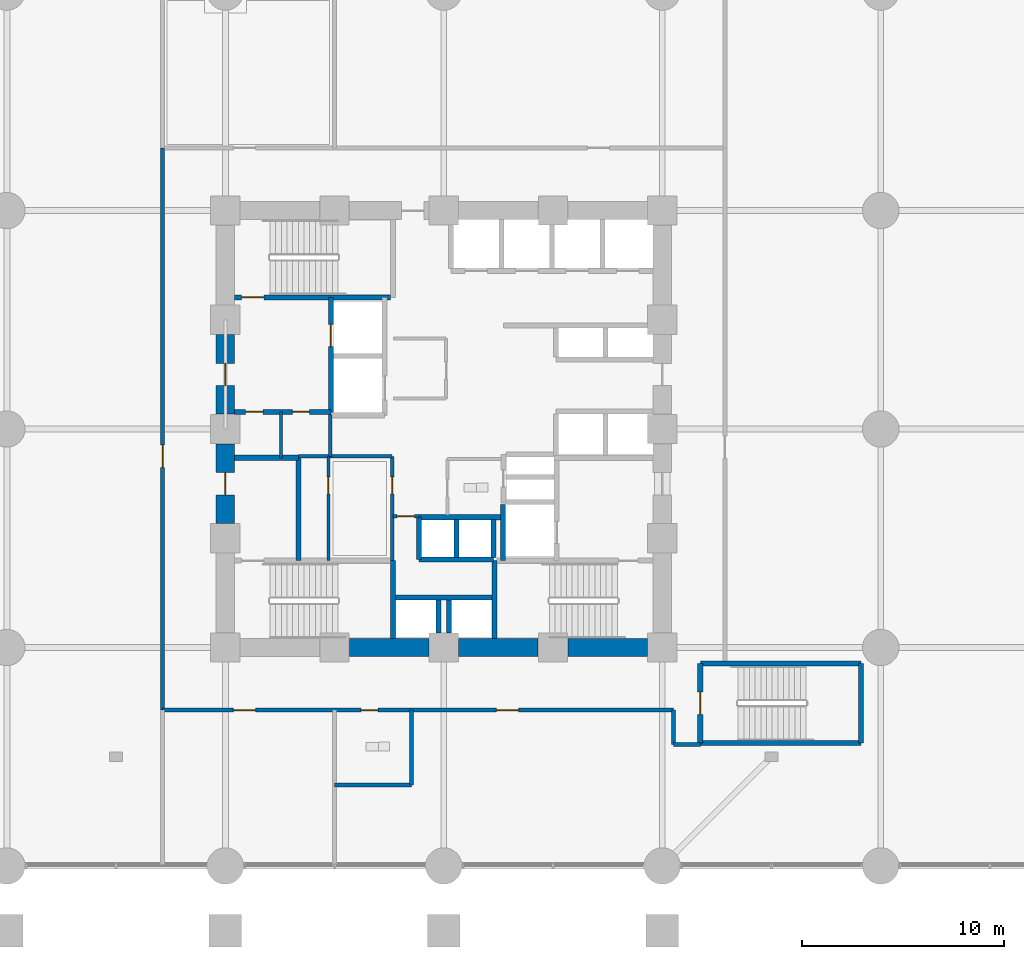
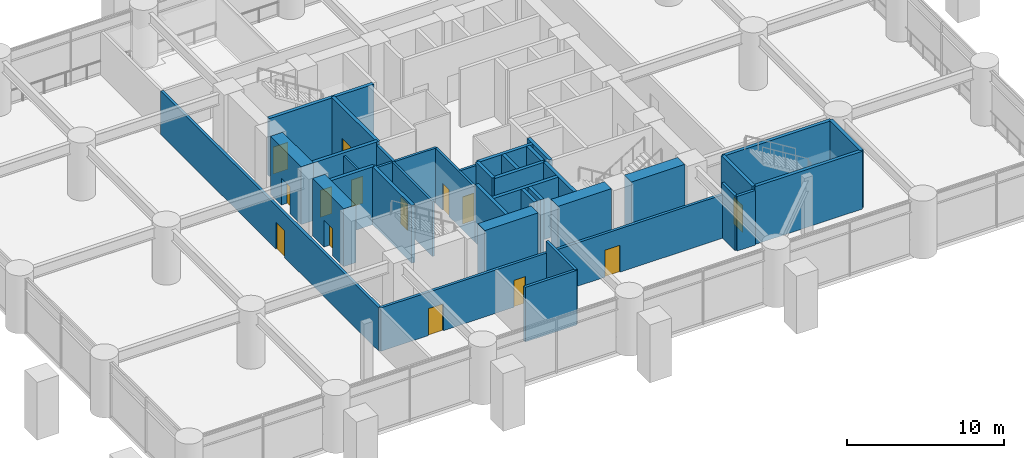
# One storey, part 23 of 31: 37 walls, 14 doors, 14 openings.
"""IFC4 building model written with IfcOpenShell, lengths in metres."""

from ifc_helpers import new_model, si_unit, direction, frame, frame_2d, origin, place, context, subcontext, project, spatial, rectangle, extrude, material, layer, layer_set, type_object, element, fill, save


model = new_model("IFC4")

# Units and contexts
model_context = context("Model", 3, precision=1e-05, world=origin(), true_north=direction((0.0, 1.0)))
body_context = subcontext(model_context, "Body", "Model", "MODEL_VIEW")
ifc_project = project(units=[si_unit("LENGTHUNIT", "METRE"), si_unit("AREAUNIT", "SQUARE_METRE"), si_unit("VOLUMEUNIT", "CUBIC_METRE"), si_unit("PLANEANGLEUNIT", "RADIAN"), si_unit("MASSUNIT", "GRAM", prefix="KILO")], contexts=[model_context])

# Site, building, storey
site_placement = place(None, origin())
site = spatial("IfcSite", under=ifc_project, at=site_placement, CompositionType="ELEMENT")
building_placement = place(site_placement, origin())
building = spatial("IfcBuilding", under=site, at=building_placement, Name="Surkhivell Harbour Commons", CompositionType="ELEMENT")
storey_placement = place(building_placement, frame((0.0, 0.0, 4.5)))
storey = spatial("IfcBuildingStorey", under=building, at=storey_placement, Name="L01", CompositionType="ELEMENT", Elevation=4.5)

# Wall
ifc_material_1 = material(Name="Concrete C80/95", Category="concrete")
ifc_layer_1 = layer(ifc_material_1, 0.89990234375)
ifc_layer_set_1 = layer_set([ifc_layer_1], Name="Concrete C80/95")
wall_type_1 = type_object("IfcWallType", Name="WAL-CORE-900", PredefinedType="SHEAR", material=ifc_layer_set_1)
wall_1_placement = place(storey_placement, frame((-4.6650390625, -10.800048828125, 0.0), z_axis=(0.0, 0.0, 1.0), x_axis=(1.0, 0.0, 0.0)))
element("IfcWall", 1, at=wall_1_placement, inside=storey, type_object=wall_type_1, Name="L01 Core Shear Wall South 2", PredefinedType="SHEAR", context=body_context, shape_type="SweptSolid", body=[
    extrude(rectangle(XDim=3.929931640625, YDim=0.89990234375, at=frame_2d((1.96484375, 0.0))), origin(), (0.0, 0.0, 1.0), 4.5),
])

# Wall, opening, door
wall_2_placement = place(storey_placement, frame((-10.800048828125, -4.6650390625, 0.0), z_axis=(0.0, 0.0, 1.0), x_axis=(0.0, 1.0, 0.0)))
wall_2 = element("IfcWall", 2, at=wall_2_placement, inside=storey, type_object=wall_type_1, Name="L01 Core Shear Wall West 2", PredefinedType="SHEAR", context=body_context, shape_type="SweptSolid", body=[
    extrude(rectangle(XDim=3.929931640625, YDim=0.89990234375, at=frame_2d((1.96484375, 0.0))), origin(), (0.0, 0.0, 1.0), 4.5),
])
opening_1_placement = place(wall_2_placement, frame((1.4150390625, 0.0, 0.0)))
opening_1 = element("IfcOpeningElement", 3, at=opening_1_placement, cuts=wall_2, Name="Opening ID-2", PredefinedType="OPENING", context=body_context, shape_type="SweptSolid", body=[
    extrude(rectangle(XDim=1.10009765625, YDim=2.10009765625, at=frame_2d((0.550048828125, 1.050048828125))), frame((0.0, 0.4599609375, 0.0), z_axis=(0.0, -1.0, 0.0), x_axis=(1.0, 0.0, 0.0)), (0.0, 0.0, 1.0), 0.919921875),
])
ifc_material_2 = material(Name="Hardwood-veneered fire-rated door leaf", Category="wood")
door_type_1 = type_object("IfcDoorType", Name="DOR-FD60-1100", OperationType="NOTDEFINED", PredefinedType="DOOR", material=ifc_material_2)
door_1_placement = place(opening_1_placement, origin())
door_1 = element("IfcDoor", 4, at=door_1_placement, inside=storey, type_object=door_type_1, Name="L01 Stair 3 Lobby Corridor Door", OperationType="SINGLE_SWING_LEFT", OverallHeight=2.10009765625, OverallWidth=1.10009765625, PredefinedType="DOOR", context=body_context, shape_type="SweptSolid", body=[
    extrude(rectangle(XDim=1.10009765625, YDim=2.10009765625, at=frame_2d((0.550048828125, 1.050048828125))), frame((0.0, 0.02490234375, 0.0), z_axis=(0.0, -1.0, 0.0), x_axis=(1.0, 0.0, 0.0)), (0.0, 0.0, 1.0), 0.050048828125),
])
fill(opening_1, door_1)

# Wall
wall_3_placement = place(storey_placement, frame((0.735107421875, -10.800048828125, 0.0), z_axis=(0.0, 0.0, 1.0), x_axis=(1.0, 0.0, 0.0)))
element("IfcWall", 5, at=wall_3_placement, inside=storey, type_object=wall_type_1, Name="L01 Core Shear Wall South 3", PredefinedType="SHEAR", context=body_context, shape_type="SweptSolid", body=[
    extrude(rectangle(XDim=3.929931640625, YDim=0.89990234375, at=frame_2d((1.96484375, 0.0))), origin(), (0.0, 0.0, 1.0), 4.5),
])

# Wall, opening, door
wall_4_placement = place(storey_placement, frame((-10.800048828125, 0.735107421875, 0.0), z_axis=(0.0, 0.0, 1.0), x_axis=(0.0, 1.0, 0.0)))
wall_4 = element("IfcWall", 6, at=wall_4_placement, inside=storey, type_object=wall_type_1, Name="L01 Core Shear Wall West 3", PredefinedType="SHEAR", context=body_context, shape_type="SweptSolid", body=[
    extrude(rectangle(XDim=3.929931640625, YDim=0.89990234375, at=frame_2d((1.96484375, 0.0))), origin(), (0.0, 0.0, 1.0), 4.5),
])
opening_2_placement = place(wall_4_placement, frame((1.4150390625, 0.0, 0.0)))
opening_2 = element("IfcOpeningElement", 7, at=opening_2_placement, cuts=wall_4, Name="Opening ID-1", PredefinedType="OPENING", context=body_context, shape_type="SweptSolid", body=[
    extrude(rectangle(XDim=1.10009765625, YDim=2.10009765625, at=frame_2d((0.550048828125, 1.050048828125))), frame((0.0, 0.4599609375, 0.0), z_axis=(0.0, -1.0, 0.0), x_axis=(1.0, 0.0, 0.0)), (0.0, 0.0, 1.0), 0.919921875),
])
door_type_2 = type_object("IfcDoorType", Name="DOR-FD120-1100", OperationType="NOTDEFINED", PredefinedType="DOOR", material=ifc_material_2)
door_2_placement = place(opening_2_placement, origin())
door_2 = element("IfcDoor", 8, at=door_2_placement, inside=storey, type_object=door_type_2, Name="L01 Firefighting Lobby 1 Corridor Door", OperationType="SINGLE_SWING_LEFT", OverallHeight=2.10009765625, OverallWidth=1.10009765625, PredefinedType="DOOR", context=body_context, shape_type="SweptSolid", body=[
    extrude(rectangle(XDim=1.10009765625, YDim=2.10009765625, at=frame_2d((0.550048828125, 1.050048828125))), frame((0.0, 0.02490234375, 0.0), z_axis=(0.0, -1.0, 0.0), x_axis=(1.0, 0.0, 0.0)), (0.0, 0.0, 1.0), 0.050048828125),
])
fill(opening_2, door_2)

# Wall
wall_5_placement = place(storey_placement, frame((6.135009765625, -10.800048828125, 0.0), z_axis=(0.0, 0.0, 1.0), x_axis=(1.0, 0.0, 0.0)))
element("IfcWall", 9, at=wall_5_placement, inside=storey, type_object=wall_type_1, Name="L01 Core Shear Wall South 4", PredefinedType="SHEAR", context=body_context, shape_type="SweptSolid", body=[
    extrude(rectangle(XDim=3.929931640625, YDim=0.89990234375, at=frame_2d((1.96484375, 0.0))), origin(), (0.0, 0.0, 1.0), 4.5),
])

# Wall, opening, door
ifc_material_3 = material(Name="Twin-stud acoustic fireboard partition", Category="other")
ifc_layer_2 = layer(ifc_material_3, 0.14990234375)
ifc_layer_set_2 = layer_set([ifc_layer_2], Name="Twin-stud acoustic fireboard partition")
wall_type_2 = type_object("IfcWallType", Name="WAL-INT-150", PredefinedType="PARTITIONING", material=ifc_layer_set_2)
wall_6_placement = place(storey_placement, frame((-5.699951171875, -6.510009765625, 0.0), z_axis=(0.0, 0.0, 1.0), x_axis=(0.0, 1.0, 0.0)))
wall_6 = element("IfcWall", 10, at=wall_6_placement, inside=storey, type_object=wall_type_2, Name="L01 Core Cut B Partition", PredefinedType="PARTITIONING", context=body_context, shape_type="SweptSolid", body=[
    extrude(rectangle(XDim=5.159912109375, YDim=0.14990234375, at=frame_2d((2.580078125, 0.0))), origin(), (0.0, 0.0, 1.0), 4.25),
])
opening_3_placement = place(wall_6_placement, frame((3.300048828125, 0.0, 0.0)))
opening_3 = element("IfcOpeningElement", 11, at=opening_3_placement, cuts=wall_6, Name="Opening ID-6", PredefinedType="OPENING", context=body_context, shape_type="SweptSolid", body=[
    extrude(rectangle(XDim=0.85009765625, YDim=2.10009765625, at=frame_2d((0.425048828125, 1.050048828125))), frame((0.0, 0.0849609375, 0.0), z_axis=(0.0, -1.0, 0.0), x_axis=(1.0, 0.0, 0.0)), (0.0, 0.0, 1.0), 0.169921875),
])
door_type_3 = type_object("IfcDoorType", Name="DOR-FD30-850", OperationType="NOTDEFINED", PredefinedType="DOOR", material=ifc_material_2)
door_3_placement = place(opening_3_placement, origin())
door_3 = element("IfcDoor", 12, at=door_3_placement, inside=storey, type_object=door_type_3, Name="L01 Core Focus Study Door", OperationType="SINGLE_SWING_RIGHT", OverallHeight=2.10009765625, OverallWidth=0.85009765625, PredefinedType="DOOR", context=body_context, shape_type="SweptSolid", body=[
    extrude(rectangle(XDim=0.85009765625, YDim=2.10009765625, at=frame_2d((0.425048828125, 1.050048828125))), frame((0.0, 0.02490234375, 0.0), z_axis=(0.0, -1.0, 0.0), x_axis=(1.0, 0.0, 0.0)), (0.0, 0.0, 1.0), 0.050048828125),
])
fill(opening_3, door_3)

# Wall
wall_7_placement = place(storey_placement, frame((-8.050048828125, -1.419921875, 0.0), z_axis=(0.0, 0.0, 1.0), x_axis=(0.0, 1.0, 0.0)))
element("IfcWall", 13, at=wall_7_placement, inside=storey, type_object=wall_type_2, Name="L01 West Seminar Booth Divider", PredefinedType="PARTITIONING", context=body_context, shape_type="SweptSolid", body=[
    extrude(rectangle(XDim=2.27001953125, YDim=0.14990234375, at=frame_2d((1.135009765625, 0.0))), origin(), (0.0, 0.0, 1.0), 4.25),
])

# Wall, opening, door
ifc_material_4 = material(Name="High-density acoustic blockwork fire partition", Category="masonry")
ifc_layer_3 = layer(ifc_material_4, 0.175048828125)
ifc_layer_set_3 = layer_set([ifc_layer_3], Name="High-density acoustic blockwork fire partition")
wall_type_3 = type_object("IfcWallType", Name="WAL-INT-175", PredefinedType="PARTITIONING", material=ifc_layer_set_3)
wall_8_placement = place(storey_placement, frame((-2.550048828125, -6.510009765625, 0.0), z_axis=(0.0, 0.0, 1.0), x_axis=(0.0, 1.0, 0.0)))
wall_8 = element("IfcWall", 14, at=wall_8_placement, inside=storey, type_object=wall_type_3, Name="L01 Core Service Bay East Wall", PredefinedType="PARTITIONING", context=body_context, shape_type="SweptSolid", body=[
    extrude(rectangle(XDim=5.159912109375, YDim=0.175048828125, at=frame_2d((2.580078125, 0.0))), origin(), (0.0, 0.0, 1.0), 4.25),
])
opening_4_placement = place(wall_8_placement, frame((3.300048828125, 0.0, 0.0)))
opening_4 = element("IfcOpeningElement", 15, at=opening_4_placement, cuts=wall_8, Name="Opening ID-6", PredefinedType="OPENING", context=body_context, shape_type="SweptSolid", body=[
    extrude(rectangle(XDim=0.85009765625, YDim=2.10009765625, at=frame_2d((0.425048828125, 1.050048828125))), frame((0.0, 0.097412109375, 0.0), z_axis=(0.0, -1.0, 0.0), x_axis=(1.0, 0.0, 0.0)), (0.0, 0.0, 1.0), 0.195068359375),
])
door_4_placement = place(opening_4_placement, origin())
door_4 = element("IfcDoor", 16, at=door_4_placement, inside=storey, type_object=door_type_3, Name="L01 Core Music Door", OperationType="SINGLE_SWING_LEFT", OverallHeight=2.10009765625, OverallWidth=0.85009765625, PredefinedType="DOOR", context=body_context, shape_type="SweptSolid", body=[
    extrude(rectangle(XDim=0.85009765625, YDim=2.10009765625, at=frame_2d((0.425048828125, 1.050048828125))), frame((0.0, 0.02490234375, 0.0), z_axis=(0.0, -1.0, 0.0), x_axis=(1.0, 0.0, 0.0)), (0.0, 0.0, 1.0), 0.050048828125),
])
fill(opening_4, door_4)

# Walls
wall_9_placement = place(storey_placement, frame((-7.179931640625, -1.35009765625, 0.0), z_axis=(0.0, 0.0, 1.0), x_axis=(1.0, 0.0, 0.0)))
element("IfcWall", 17, at=wall_9_placement, inside=storey, type_object=wall_type_3, Name="L01 Core Service Bay North Wall", PredefinedType="PARTITIONING", context=body_context, shape_type="SweptSolid", body=[
    extrude(rectangle(XDim=4.6298828125, YDim=0.175048828125, at=frame_2d((2.31494140625, 0.0))), origin(), (0.0, 0.0, 1.0), 4.25),
])
wall_10_placement = place(storey_placement, frame((-5.6201171875, -1.35009765625, 0.0), z_axis=(0.0, 0.0, 1.0), x_axis=(0.0, 1.0, 0.0)))
element("IfcWall", 18, at=wall_10_placement, inside=storey, type_object=wall_type_3, Name="L01 West Core Bay East Wall", PredefinedType="PARTITIONING", context=body_context, shape_type="SweptSolid", body=[
    extrude(rectangle(XDim=2.070068359375, YDim=0.175048828125, at=frame_2d((1.03515625, 0.0))), origin(), (0.0, 0.0, 1.0), 4.25),
])

# Wall, opening, door
wall_11_placement = place(storey_placement, frame((-2.52001953125, -4.320068359375, 0.0), z_axis=(0.0, 0.0, 1.0), x_axis=(1.0, 0.0, 0.0)))
wall_11 = element("IfcWall", 19, at=wall_11_placement, inside=storey, type_object=wall_type_3, Name="L01 High-Rise Lobby North Portal Wall", PredefinedType="PARTITIONING", context=body_context, shape_type="SweptSolid", body=[
    extrude(rectangle(XDim=1.300048828125, YDim=0.175048828125, at=frame_2d((0.64990234375, 0.0))), origin(), (0.0, 0.0, 1.0), 4.25),
])
opening_5_placement = place(wall_11_placement, frame((0.219970703125, 0.0, 0.0)))
opening_5 = element("IfcOpeningElement", 20, at=opening_5_placement, cuts=wall_11, Name="Opening ID-6", PredefinedType="OPENING", context=body_context, shape_type="SweptSolid", body=[
    extrude(rectangle(XDim=0.85009765625, YDim=2.10009765625, at=frame_2d((0.425048828125, 1.050048828125))), frame((0.0, 0.097412109375, 0.0), z_axis=(0.0, -1.0, 0.0), x_axis=(1.0, 0.0, 0.0)), (0.0, 0.0, 1.0), 0.195068359375),
])
door_5_placement = place(opening_5_placement, origin())
door_5 = element("IfcDoor", 21, at=door_5_placement, inside=storey, type_object=door_type_3, Name="L01 High-Rise Lift Lobby North Door", OperationType="SINGLE_SWING_LEFT", OverallHeight=2.10009765625, OverallWidth=0.85009765625, PredefinedType="DOOR", context=body_context, shape_type="SweptSolid", body=[
    extrude(rectangle(XDim=0.85009765625, YDim=2.10009765625, at=frame_2d((0.425048828125, 1.050048828125))), frame((0.0, 0.02490234375, 0.0), z_axis=(0.0, -1.0, 0.0), x_axis=(1.0, 0.0, 0.0)), (0.0, 0.0, 1.0), 0.050048828125),
])
fill(opening_5, door_5)

# Walls
ifc_material_5 = material(Name="Autoclaved aerated concrete blockwork and fire plaster", Category="masonry")
ifc_layer_4 = layer(ifc_material_5, 0.199951171875)
ifc_layer_set_4 = layer_set([ifc_layer_4], Name="Autoclaved aerated concrete blockwork and fire plaster")
wall_type_4 = type_object("IfcWallType", Name="WAL-INT-200", PredefinedType="PARTITIONING", material=ifc_layer_set_4)
wall_12_placement = place(storey_placement, frame((-1.60009765625, -17.60009765625, 0.0), z_axis=(0.0, 0.0, 1.0), x_axis=(0.0, 1.0, 0.0)))
element("IfcWall", 22, at=wall_12_placement, inside=storey, type_object=wall_type_4, Name="L01 Podium South WC East Wall", PredefinedType="PARTITIONING", context=body_context, shape_type="SweptSolid", body=[
    extrude(rectangle(XDim=3.7001953125, YDim=0.199951171875, at=frame_2d((1.85009765625, 0.0))), origin(), (0.0, 0.0, 1.0), 4.25),
])
wall_13_placement = place(storey_placement, frame((-5.39990234375, -17.60009765625, 0.0), z_axis=(0.0, 0.0, 1.0), x_axis=(1.0, 0.0, 0.0)))
element("IfcWall", 23, at=wall_13_placement, inside=storey, type_object=wall_type_4, Name="L01 Podium South WC Back Wall", PredefinedType="PARTITIONING", context=body_context, shape_type="SweptSolid", body=[
    extrude(rectangle(XDim=3.7998046875, YDim=0.199951171875, at=frame_2d((1.89990234375, 0.0))), origin(), (0.0, 0.0, 1.0), 4.25),
])

# Wall, openings, doors
wall_14_placement = place(storey_placement, frame((-13.89990234375, -13.89990234375, 0.0), z_axis=(0.0, 0.0, 1.0), x_axis=(1.0, 0.0, 0.0)))
wall_14 = element("IfcWall", 24, at=wall_14_placement, inside=storey, type_object=wall_type_4, Name="L01 Corridor South Wall", PredefinedType="PARTITIONING", context=body_context, shape_type="SweptSolid", body=[
    extrude(rectangle(XDim=25.25, YDim=0.199951171875, at=frame_2d((12.625, 0.0))), origin(), (0.0, 0.0, 1.0), 3.37890625),
])
opening_6_placement = place(wall_14_placement, frame((3.5, 0.0, 0.0)))
opening_6 = element("IfcOpeningElement", 25, at=opening_6_placement, cuts=wall_14, Name="Opening ID-2", PredefinedType="OPENING", context=body_context, shape_type="SweptSolid", body=[
    extrude(rectangle(XDim=1.10009765625, YDim=2.10009765625, at=frame_2d((0.550048828125, 1.050048828125))), frame((0.0, 0.10986328125, 0.0), z_axis=(0.0, -1.0, 0.0), x_axis=(1.0, 0.0, 0.0)), (0.0, 0.0, 1.0), 0.219970703125),
])
opening_7_placement = place(wall_14_placement, frame((9.800048828125, 0.0, 0.0)))
opening_7 = element("IfcOpeningElement", 26, at=opening_7_placement, cuts=wall_14, Name="Opening ID-6", PredefinedType="OPENING", context=body_context, shape_type="SweptSolid", body=[
    extrude(rectangle(XDim=0.85009765625, YDim=2.10009765625, at=frame_2d((0.425048828125, 1.050048828125))), frame((0.0, 0.10986328125, 0.0), z_axis=(0.0, -1.0, 0.0), x_axis=(1.0, 0.0, 0.0)), (0.0, 0.0, 1.0), 0.219970703125),
])
opening_8_placement = place(wall_14_placement, frame((16.5, 0.0, 0.0)))
opening_8 = element("IfcOpeningElement", 27, at=opening_8_placement, cuts=wall_14, Name="Opening ID-2", PredefinedType="OPENING", context=body_context, shape_type="SweptSolid", body=[
    extrude(rectangle(XDim=1.10009765625, YDim=2.10009765625, at=frame_2d((0.550048828125, 1.050048828125))), frame((0.0, 0.10986328125, 0.0), z_axis=(0.0, -1.0, 0.0), x_axis=(1.0, 0.0, 0.0)), (0.0, 0.0, 1.0), 0.219970703125),
])
door_6_placement = place(opening_7_placement, origin())
door_6 = element("IfcDoor", 28, at=door_6_placement, inside=storey, type_object=door_type_3, Name="L01 Mezzanine Accessible WC Door", OperationType="SINGLE_SWING_LEFT", OverallHeight=2.10009765625, OverallWidth=0.85009765625, PredefinedType="DOOR", context=body_context, shape_type="SweptSolid", body=[
    extrude(rectangle(XDim=0.85009765625, YDim=2.10009765625, at=frame_2d((0.425048828125, 1.050048828125))), frame((0.0, 0.02490234375, 0.0), z_axis=(0.0, -1.0, 0.0), x_axis=(1.0, 0.0, 0.0)), (0.0, 0.0, 1.0), 0.050048828125),
])
fill(opening_7, door_6)
door_7_placement = place(opening_6_placement, origin())
door_7 = element("IfcDoor", 29, at=door_7_placement, inside=storey, type_object=door_type_1, Name="L01 Student Advisory Office Door", OperationType="SINGLE_SWING_RIGHT", OverallHeight=2.10009765625, OverallWidth=1.10009765625, PredefinedType="DOOR", context=body_context, shape_type="SweptSolid", body=[
    extrude(rectangle(XDim=1.10009765625, YDim=2.10009765625, at=frame_2d((0.550048828125, 1.050048828125))), frame((0.0, 0.02490234375, 0.0), z_axis=(0.0, -1.0, 0.0), x_axis=(1.0, 0.0, 0.0)), (0.0, 0.0, 1.0), 0.050048828125),
])
fill(opening_6, door_7)
door_8_placement = place(opening_8_placement, origin())
door_8 = element("IfcDoor", 30, at=door_8_placement, inside=storey, type_object=door_type_1, Name="L01 L01 Harbour Reading Hall Door", OperationType="SINGLE_SWING_RIGHT", OverallHeight=2.10009765625, OverallWidth=1.10009765625, PredefinedType="DOOR", context=body_context, shape_type="SweptSolid", body=[
    extrude(rectangle(XDim=1.10009765625, YDim=2.10009765625, at=frame_2d((0.550048828125, 1.050048828125))), frame((0.0, 0.02490234375, 0.0), z_axis=(0.0, -1.0, 0.0), x_axis=(1.0, 0.0, 0.0)), (0.0, 0.0, 1.0), 0.050048828125),
])
fill(opening_8, door_8)

# Wall, opening, door
wall_15_placement = place(storey_placement, frame((-13.89990234375, -13.89990234375, 0.0), z_axis=(0.0, 0.0, 1.0), x_axis=(0.0, 1.0, 0.0)))
wall_15 = element("IfcWall", 31, at=wall_15_placement, inside=storey, type_object=wall_type_4, Name="L01 Corridor West Wall", PredefinedType="PARTITIONING", context=body_context, shape_type="SweptSolid", body=[
    extrude(rectangle(XDim=27.7998046875, YDim=0.199951171875, at=frame_2d((13.89990234375, 0.0))), origin(), (0.0, 0.0, 1.0), 3.37890625),
])
opening_9_placement = place(wall_15_placement, frame((12.0, 0.0, 0.0)))
opening_9 = element("IfcOpeningElement", 32, at=opening_9_placement, cuts=wall_15, Name="Opening ID-2", PredefinedType="OPENING", context=body_context, shape_type="SweptSolid", body=[
    extrude(rectangle(XDim=1.10009765625, YDim=2.10009765625, at=frame_2d((0.550048828125, 1.050048828125))), frame((0.0, 0.10986328125, 0.0), z_axis=(0.0, -1.0, 0.0), x_axis=(1.0, 0.0, 0.0)), (0.0, 0.0, 1.0), 0.219970703125),
])
door_9_placement = place(opening_9_placement, origin())
door_9 = element("IfcDoor", 33, at=door_9_placement, inside=storey, type_object=door_type_1, Name="L01 L01 West Commons Hall Door", OperationType="SINGLE_SWING_LEFT", OverallHeight=2.10009765625, OverallWidth=1.10009765625, PredefinedType="DOOR", context=body_context, shape_type="SweptSolid", body=[
    extrude(rectangle(XDim=1.10009765625, YDim=2.10009765625, at=frame_2d((0.550048828125, 1.050048828125))), frame((0.0, 0.02490234375, 0.0), z_axis=(0.0, -1.0, 0.0), x_axis=(1.0, 0.0, 0.0)), (0.0, 0.0, 1.0), 0.050048828125),
])
fill(opening_9, door_9)

# Walls
wall_16_placement = place(storey_placement, frame((11.35009765625, -15.60009765625, 0.0), z_axis=(0.0, 0.0, 1.0), x_axis=(1.0, 0.0, 0.0)))
element("IfcWall", 34, at=wall_16_placement, inside=storey, type_object=wall_type_4, Name="L01 Stair ST4 Corridor South Wall", PredefinedType="PARTITIONING", context=body_context, shape_type="SweptSolid", body=[
    extrude(rectangle(XDim=1.329833984375, YDim=0.199951171875, at=frame_2d((0.6650390625, 0.0))), origin(), (0.0, 0.0, 1.0), 4.25),
])
wall_17_placement = place(storey_placement, frame((11.35009765625, -15.60009765625, 0.0), z_axis=(0.0, 0.0, 1.0), x_axis=(0.0, 1.0, 0.0)))
element("IfcWall", 35, at=wall_17_placement, inside=storey, type_object=wall_type_4, Name="L01 Stair ST4 Corridor West Wall", PredefinedType="PARTITIONING", context=body_context, shape_type="SweptSolid", body=[
    extrude(rectangle(XDim=1.7001953125, YDim=0.199951171875, at=frame_2d((0.85009765625, 0.0))), origin(), (0.0, 0.0, 1.0), 4.25),
])

# Wall, opening, door
ifc_material_6 = material(Name="Concrete C50/60", Category="concrete")
ifc_layer_5 = layer(ifc_material_6, 0.25)
ifc_layer_set_5 = layer_set([ifc_layer_5], Name="Concrete C50/60")
wall_type_5 = type_object("IfcWallType", Name="WAL-SHAFT-250", PredefinedType="SHEAR", material=ifc_layer_set_5)
wall_18_placement = place(storey_placement, frame((-5.580078125, 0.719970703125, 0.0), z_axis=(0.0, 0.0, 1.0), x_axis=(0.0, 1.0, 0.0)))
wall_18 = element("IfcWall", 36, at=wall_18_placement, inside=storey, type_object=wall_type_5, Name="L01 Firefighting Lobby 1 East Shaft Wall", PredefinedType="SHEAR", context=body_context, shape_type="SweptSolid", body=[
    extrude(rectangle(XDim=5.7900390625, YDim=0.25, at=frame_2d((2.89501953125, 0.0))), origin(), (0.0, 0.0, 1.0), 4.5),
])
opening_10_placement = place(wall_18_placement, frame((3.35009765625, 0.0, 0.0)))
opening_10 = element("IfcOpeningElement", 37, at=opening_10_placement, cuts=wall_18, Name="Opening LD-1", PredefinedType="OPENING", context=body_context, shape_type="SweptSolid", body=[
    extrude(rectangle(XDim=1.10009765625, YDim=2.10009765625, at=frame_2d((0.550048828125, 1.050048828125))), frame((0.0, 0.135009765625, 0.0), z_axis=(0.0, -1.0, 0.0), x_axis=(1.0, 0.0, 0.0)), (0.0, 0.0, 1.0), 0.27001953125),
])
ifc_material_7 = material(Name="Brushed stainless steel S355", Category="steel")
door_type_4 = type_object("IfcDoorType", Name="DOR-LD-1100", OperationType="SLIDING_TO_LEFT", PredefinedType="DOOR", material=ifc_material_7)
door_10_placement = place(opening_10_placement, origin())
door_10 = element("IfcDoor", 38, at=door_10_placement, inside=storey, type_object=door_type_4, Name="L01 Lift Landing Door LD-FFL1", OperationType="SLIDING_TO_LEFT", OverallHeight=2.10009765625, OverallWidth=1.10009765625, PredefinedType="DOOR", context=body_context, shape_type="SweptSolid", body=[
    extrude(rectangle(XDim=1.10009765625, YDim=2.10009765625, at=frame_2d((0.550048828125, 1.050048828125))), frame((0.0, 0.02490234375, 0.0), z_axis=(0.0, -1.0, 0.0), x_axis=(1.0, 0.0, 0.0)), (0.0, 0.0, 1.0), 0.050048828125),
])
fill(opening_10, door_10)

# Wall, openings, doors
wall_19_placement = place(storey_placement, frame((-10.340087890625, 0.85009765625, 0.0), z_axis=(0.0, 0.0, 1.0), x_axis=(1.0, 0.0, 0.0)))
wall_19 = element("IfcWall", 39, at=wall_19_placement, inside=storey, type_object=wall_type_5, Name="L01 Firefighting Lobby 1 South Wall", PredefinedType="SHEAR", context=body_context, shape_type="SweptSolid", body=[
    extrude(rectangle(XDim=4.760009765625, YDim=0.25, at=frame_2d((2.3798828125, 0.0))), origin(), (0.0, 0.0, 1.0), 4.5),
])
opening_11_placement = place(wall_19_placement, frame((0.550048828125, 0.0, 0.0)))
opening_11 = element("IfcOpeningElement", 40, at=opening_11_placement, cuts=wall_19, Name="Opening ID-6", PredefinedType="OPENING", context=body_context, shape_type="SweptSolid", body=[
    extrude(rectangle(XDim=0.85009765625, YDim=2.10009765625, at=frame_2d((0.425048828125, 1.050048828125))), frame((0.0, 0.135009765625, 0.0), z_axis=(0.0, -1.0, 0.0), x_axis=(1.0, 0.0, 0.0)), (0.0, 0.0, 1.0), 0.27001953125),
])
opening_12_placement = place(wall_19_placement, frame((2.85009765625, 0.0, 0.0)))
opening_12 = element("IfcOpeningElement", 41, at=opening_12_placement, cuts=wall_19, Name="Opening ID-6", PredefinedType="OPENING", context=body_context, shape_type="SweptSolid", body=[
    extrude(rectangle(XDim=0.85009765625, YDim=2.10009765625, at=frame_2d((0.425048828125, 1.050048828125))), frame((0.0, 0.135009765625, 0.0), z_axis=(0.0, -1.0, 0.0), x_axis=(1.0, 0.0, 0.0)), (0.0, 0.0, 1.0), 0.27001953125),
])
door_11_placement = place(opening_11_placement, origin())
door_11 = element("IfcDoor", 42, at=door_11_placement, inside=storey, type_object=door_type_3, Name="L01 West Seminar 1 Door", OperationType="SINGLE_SWING_LEFT", OverallHeight=2.10009765625, OverallWidth=0.85009765625, PredefinedType="DOOR", context=body_context, shape_type="SweptSolid", body=[
    extrude(rectangle(XDim=0.85009765625, YDim=2.10009765625, at=frame_2d((0.425048828125, 1.050048828125))), frame((0.0, 0.02490234375, 0.0), z_axis=(0.0, -1.0, 0.0), x_axis=(1.0, 0.0, 0.0)), (0.0, 0.0, 1.0), 0.050048828125),
])
fill(opening_11, door_11)
door_12_placement = place(opening_12_placement, origin())
door_12 = element("IfcDoor", 43, at=door_12_placement, inside=storey, type_object=door_type_3, Name="L01 West Seminar 2 Door", OperationType="SINGLE_SWING_RIGHT", OverallHeight=2.10009765625, OverallWidth=0.85009765625, PredefinedType="DOOR", context=body_context, shape_type="SweptSolid", body=[
    extrude(rectangle(XDim=0.85009765625, YDim=2.10009765625, at=frame_2d((0.425048828125, 1.050048828125))), frame((0.0, 0.02490234375, 0.0), z_axis=(0.0, -1.0, 0.0), x_axis=(1.0, 0.0, 0.0)), (0.0, 0.0, 1.0), 0.050048828125),
])
fill(opening_12, door_12)

# Walls
wall_20_placement = place(storey_placement, frame((2.929931640625, -6.510009765625, 0.0), z_axis=(0.0, 0.0, 1.0), x_axis=(0.0, 1.0, 0.0)))
element("IfcWall", 44, at=wall_20_placement, inside=storey, type_object=wall_type_5, Name="L01 FFL2 West Shaft Wall", PredefinedType="SHEAR", context=body_context, shape_type="SweptSolid", body=[
    extrude(rectangle(XDim=2.7900390625, YDim=0.25, at=frame_2d((1.39501953125, 0.0))), origin(), (0.0, 0.0, 1.0), 4.5),
])
for number, where, z_axis, x_axis, name in (
    (45, (0.6201171875, -6.340087890625, 0.0), (0.0, 0.0, 1.0), (0.0, 1.0, 0.0), "L01 High-Rise Side Wall N"),
    (46, (2.449951171875, -6.340087890625, 0.0), (0.0, 0.0, 1.0), (0.0, 1.0, 0.0), "L01 High-Rise Side Wall N"),
):
    element("IfcWall", number, at=place(storey_placement, frame(where, z_axis=z_axis, x_axis=x_axis)), inside=storey, type_object=wall_type_5, Name=name, PredefinedType="SHEAR", context=body_context, shape_type="SweptSolid", body=[
        extrude(rectangle(XDim=1.880126953125, YDim=0.25, at=frame_2d((0.93994140625, 0.0))), origin(), (0.0, 0.0, 1.0), 4.5),
    ])
for number, where, z_axis, x_axis, name in (
    (47, (-0.25, -10.074951171875, 0.0), (0.0, 0.0, 1.0), (0.0, 1.0, 0.0), "L01 High-Rise Side Wall S"),
    (48, (0.25, -10.074951171875, 0.0), (0.0, 0.0, 1.0), (0.0, 1.0, 0.0), "L01 High-Rise Side Wall S"),
):
    element("IfcWall", number, at=place(storey_placement, frame(where, z_axis=z_axis, x_axis=x_axis)), inside=storey, type_object=wall_type_5, Name=name, PredefinedType="SHEAR", context=body_context, shape_type="SweptSolid", body=[
        extrude(rectangle(XDim=1.635009765625, YDim=0.25, at=frame_2d((0.8173828125, 0.0))), origin(), (0.0, 0.0, 1.0), 4.5),
    ])
wall_21_placement = place(storey_placement, frame((-1.219970703125, -6.43994140625, 0.0), z_axis=(0.0, 0.0, 1.0), x_axis=(0.0, 1.0, 0.0)))
element("IfcWall", 49, at=wall_21_placement, inside=storey, type_object=wall_type_5, Name="L01 High-Rise Passage East Shaft Wall", PredefinedType="SHEAR", context=body_context, shape_type="SweptSolid", body=[
    extrude(rectangle(XDim=2.079833984375, YDim=0.25, at=frame_2d((1.0400390625, 0.0))), origin(), (0.0, 0.0, 1.0), 4.5),
])
wall_22_placement = place(storey_placement, frame((-1.219970703125, -6.43994140625, 0.0), z_axis=(0.0, 0.0, 1.0), x_axis=(1.0, 0.0, 0.0)))
element("IfcWall", 50, at=wall_22_placement, inside=storey, type_object=wall_type_5, Name="L01 High-Rise North Front Shaft Wall", PredefinedType="SHEAR", context=body_context, shape_type="SweptSolid", body=[
    extrude(rectangle(XDim=3.669921875, YDim=0.25, at=frame_2d((1.8349609375, 0.0))), origin(), (0.0, 0.0, 1.0), 4.5),
])
wall_23_placement = place(storey_placement, frame((-2.47998046875, -8.320068359375, 0.0), z_axis=(0.0, 0.0, 1.0), x_axis=(1.0, 0.0, 0.0)))
element("IfcWall", 51, at=wall_23_placement, inside=storey, type_object=wall_type_5, Name="L01 High-Rise South Front Shaft Wall", PredefinedType="SHEAR", context=body_context, shape_type="SweptSolid", body=[
    extrude(rectangle(XDim=4.929931640625, YDim=0.25, at=frame_2d((2.46484375, 0.0))), origin(), (0.0, 0.0, 1.0), 4.5),
])
wall_24_placement = place(storey_placement, frame((-1.219970703125, -4.360107421875, 0.0), z_axis=(0.0, 0.0, 1.0), x_axis=(1.0, 0.0, 0.0)))
element("IfcWall", 52, at=wall_24_placement, inside=storey, type_object=wall_type_5, Name="L01 High-Rise North Back Shaft Wall", PredefinedType="SHEAR", context=body_context, shape_type="SweptSolid", body=[
    extrude(rectangle(XDim=4.030029296875, YDim=0.25, at=frame_2d((2.01513671875, 0.0))), origin(), (0.0, 0.0, 1.0), 4.5),
])

# Wall, opening, door
wall_25_placement = place(storey_placement, frame((-10.340087890625, 6.510009765625, 0.0), z_axis=(0.0, 0.0, 1.0), x_axis=(1.0, 0.0, 0.0)))
wall_25 = element("IfcWall", 53, at=wall_25_placement, inside=storey, type_object=wall_type_5, Name="L01 Stair ST1 South Shear Wall", PredefinedType="SHEAR", context=body_context, shape_type="SweptSolid", body=[
    extrude(rectangle(XDim=7.7001953125, YDim=0.25, at=frame_2d((3.85009765625, 0.0))), origin(), (0.0, 0.0, 1.0), 4.5),
])
opening_13_placement = place(wall_25_placement, frame((0.35009765625, 0.0, 0.0)))
opening_13 = element("IfcOpeningElement", 54, at=opening_13_placement, cuts=wall_25, Name="Opening ID-2", PredefinedType="OPENING", context=body_context, shape_type="SweptSolid", body=[
    extrude(rectangle(XDim=1.10009765625, YDim=2.10009765625, at=frame_2d((0.550048828125, 1.050048828125))), frame((0.0, 0.135009765625, 0.0), z_axis=(0.0, -1.0, 0.0), x_axis=(1.0, 0.0, 0.0)), (0.0, 0.0, 1.0), 0.27001953125),
])
door_13_placement = place(opening_13_placement, origin())
door_13 = element("IfcDoor", 55, at=door_13_placement, inside=storey, type_object=door_type_1, Name="L01 Stair ST1 Exit Door", OperationType="SINGLE_SWING_LEFT", OverallHeight=2.10009765625, OverallWidth=1.10009765625, PredefinedType="DOOR", context=body_context, shape_type="SweptSolid", body=[
    extrude(rectangle(XDim=1.10009765625, YDim=2.10009765625, at=frame_2d((0.550048828125, 1.050048828125))), frame((0.0, 0.02490234375, 0.0), z_axis=(0.0, -1.0, 0.0), x_axis=(1.0, 0.0, 0.0)), (0.0, 0.0, 1.0), 0.050048828125),
])
fill(opening_13, door_13)

# Walls
for number, where, z_axis, x_axis, name in (
    (56, (2.510009765625, -10.35009765625, 0.0), (0.0, 0.0, 1.0), (0.0, 1.0, 0.0), "L01 Stair ST2 West Shear Wall"),
    (57, (-2.510009765625, -10.35009765625, 0.0), (0.0, 0.0, 1.0), (0.0, 1.0, 0.0), "L01 Stair ST3 East Shear Wall"),
):
    element("IfcWall", number, at=place(storey_placement, frame(where, z_axis=z_axis, x_axis=x_axis)), inside=storey, type_object=wall_type_5, Name=name, PredefinedType="SHEAR", context=body_context, shape_type="SweptSolid", body=[
        extrude(rectangle(XDim=3.840087890625, YDim=0.25, at=frame_2d((1.919921875, 0.0))), origin(), (0.0, 0.0, 1.0), 4.5),
    ])
wall_26_placement = place(storey_placement, frame((-7.179931640625, -6.510009765625, 0.0), z_axis=(0.0, 0.0, 1.0), x_axis=(0.0, 1.0, 0.0)))
element("IfcWall", 58, at=wall_26_placement, inside=storey, type_object=wall_type_5, Name="L01 Stair 3 Lobby East Wall", PredefinedType="SHEAR", context=body_context, shape_type="SweptSolid", body=[
    extrude(rectangle(XDim=5.090087890625, YDim=0.25, at=frame_2d((2.544921875, 0.0))), origin(), (0.0, 0.0, 1.0), 4.5),
])
wall_27_placement = place(storey_placement, frame((-10.340087890625, -1.419921875, 0.0), z_axis=(0.0, 0.0, 1.0), x_axis=(1.0, 0.0, 0.0)))
element("IfcWall", 59, at=wall_27_placement, inside=storey, type_object=wall_type_5, Name="L01 Stair 3 Lobby North Wall", PredefinedType="SHEAR", context=body_context, shape_type="SweptSolid", body=[
    extrude(rectangle(XDim=3.16015625, YDim=0.25, at=frame_2d((1.580078125, 0.0))), origin(), (0.0, 0.0, 1.0), 4.5),
])
wall_28_placement = place(storey_placement, frame((20.6201171875, -15.52001953125, 0.0), z_axis=(0.0, 0.0, 1.0), x_axis=(0.0, 1.0, 0.0)))
element("IfcWall", 60, at=wall_28_placement, inside=storey, type_object=wall_type_5, Name="L01 Stair ST4 East Shear Wall", PredefinedType="SHEAR", context=body_context, shape_type="SweptSolid", body=[
    extrude(rectangle(XDim=3.93994140625, YDim=0.25, at=frame_2d((1.969970703125, 0.0))), origin(), (0.0, 0.0, 1.0), 4.5),
])
for number, where, z_axis, x_axis, name in (
    (61, (12.679931640625, -11.580078125, 0.0), (0.0, 0.0, 1.0), (1.0, 0.0, 0.0), "L01 Stair ST4 North Shear Wall"),
    (62, (12.679931640625, -15.52001953125, 0.0), (0.0, 0.0, 1.0), (1.0, 0.0, 0.0), "L01 Stair ST4 South Shear Wall"),
):
    element("IfcWall", number, at=place(storey_placement, frame(where, z_axis=z_axis, x_axis=x_axis)), inside=storey, type_object=wall_type_5, Name=name, PredefinedType="SHEAR", context=body_context, shape_type="SweptSolid", body=[
        extrude(rectangle(XDim=7.940185546875, YDim=0.25, at=frame_2d((3.97021484375, 0.0))), origin(), (0.0, 0.0, 1.0), 4.5),
    ])

# Wall, opening, door
wall_29_placement = place(storey_placement, frame((12.679931640625, -15.52001953125, 0.0), z_axis=(0.0, 0.0, 1.0), x_axis=(0.0, 1.0, 0.0)))
wall_29 = element("IfcWall", 63, at=wall_29_placement, inside=storey, type_object=wall_type_5, Name="L01 Stair ST4 West Shear Wall", PredefinedType="SHEAR", context=body_context, shape_type="SweptSolid", body=[
    extrude(rectangle(XDim=3.93994140625, YDim=0.25, at=frame_2d((1.969970703125, 0.0))), origin(), (0.0, 0.0, 1.0), 4.5),
])
opening_14_placement = place(wall_29_placement, frame((1.419921875, 0.0, 0.0)))
opening_14 = element("IfcOpeningElement", 64, at=opening_14_placement, cuts=wall_29, Name="Opening ID-2", PredefinedType="OPENING", context=body_context, shape_type="SweptSolid", body=[
    extrude(rectangle(XDim=1.10009765625, YDim=2.10009765625, at=frame_2d((0.550048828125, 1.050048828125))), frame((0.0, 0.135009765625, 0.0), z_axis=(0.0, -1.0, 0.0), x_axis=(1.0, 0.0, 0.0)), (0.0, 0.0, 1.0), 0.27001953125),
])
door_14_placement = place(opening_14_placement, origin())
door_14 = element("IfcDoor", 65, at=door_14_placement, inside=storey, type_object=door_type_1, Name="L01 Podium Stair ST4 Exit Door", OperationType="SINGLE_SWING_LEFT", OverallHeight=2.10009765625, OverallWidth=1.10009765625, PredefinedType="DOOR", context=body_context, shape_type="SweptSolid", body=[
    extrude(rectangle(XDim=1.10009765625, YDim=2.10009765625, at=frame_2d((0.550048828125, 1.050048828125))), frame((0.0, 0.02490234375, 0.0), z_axis=(0.0, -1.0, 0.0), x_axis=(1.0, 0.0, 0.0)), (0.0, 0.0, 1.0), 0.050048828125),
])
fill(opening_14, door_14)

save(model, "model.ifc")
